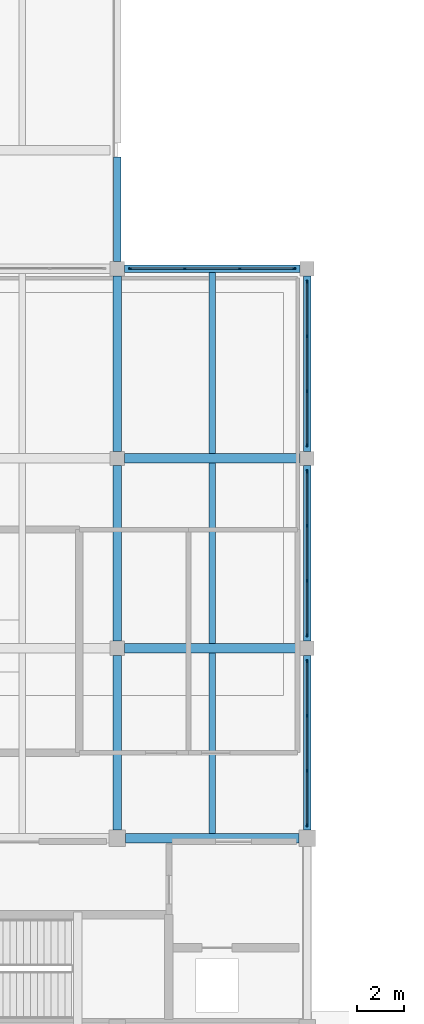
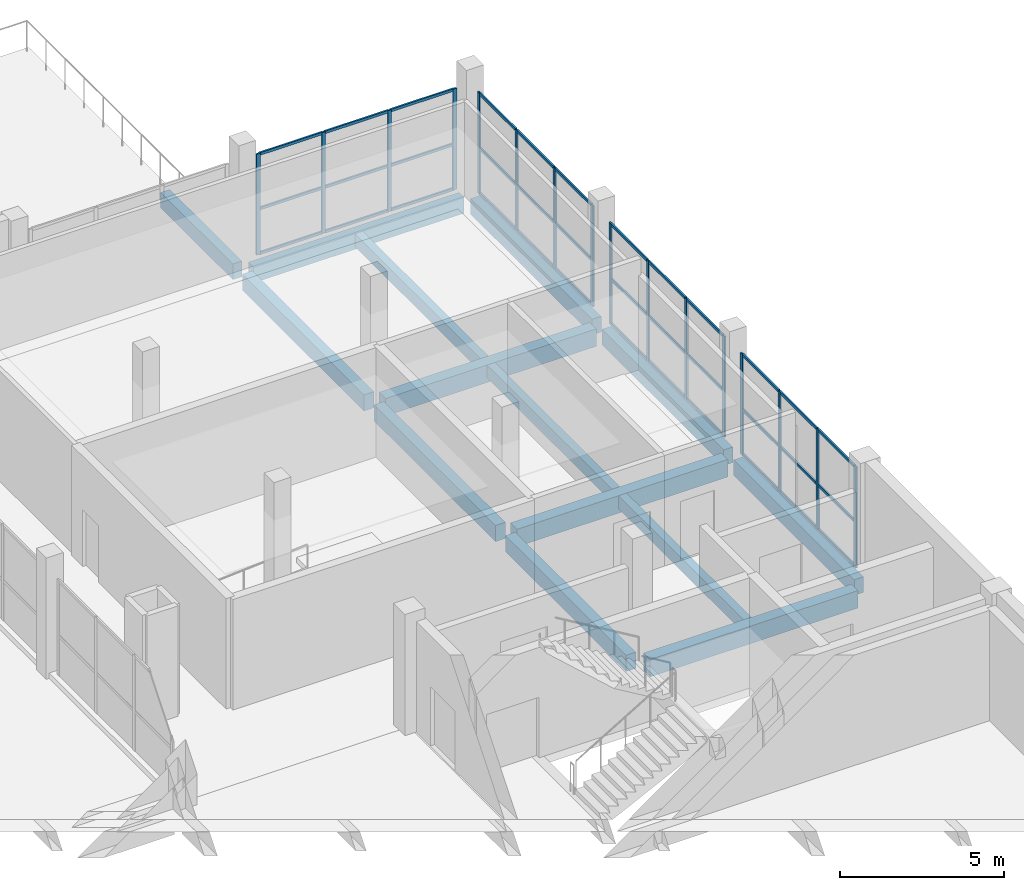
# One storey, part 6 of 14: 52 members, 14 beams, 4 elements without a shape of their own.
"""IFC4 building model written with IfcOpenShell, lengths in metres."""

from ifc_helpers import new_model, si_unit, direction, frame, origin, origin_2d, place, context, subcontext, project, spatial, rectangle, extrude, material, layer, layer_set, material_profile, profile_set, type_object, element, aggregate, save


model = new_model("IFC4")

# Units and contexts
model_context = context("Model", 3, precision=1e-05, world=origin(), true_north=direction((0.0, 1.0)))
body_context = subcontext(model_context, "Body", "Model", "MODEL_VIEW")
ifc_project = project(units=[si_unit("LENGTHUNIT", "METRE"), si_unit("AREAUNIT", "SQUARE_METRE"), si_unit("VOLUMEUNIT", "CUBIC_METRE"), si_unit("PLANEANGLEUNIT", "RADIAN"), si_unit("MASSUNIT", "GRAM", prefix="KILO")], contexts=[model_context])

# Site, building, storey
site_placement = place(None, origin())
site = spatial("IfcSite", under=ifc_project, at=site_placement, CompositionType="ELEMENT")
building_placement = place(site_placement, origin())
building = spatial("IfcBuilding", under=site, at=building_placement, Name="Qorikala Patio Media Centre", CompositionType="ELEMENT")
storey_placement = place(building_placement, frame((0.0, 0.0, 23.39990234375)))
storey = spatial("IfcBuildingStorey", under=building, at=storey_placement, Name="L05", CompositionType="ELEMENT", Elevation=23.39990234375)

# Beams
ifc_material_1 = material(Name="Concrete C35/45", Category="concrete")
ifc_material_profile_1 = material_profile(ifc_material_1, rectangle(XDim=0.35009765625, YDim=0.60009765625, at=origin_2d()), Name="RC 350x600")
ifc_profile_set_1 = profile_set([ifc_material_profile_1], Name="Concrete C35/45")
beam_type_1 = type_object("IfcBeamType", Name="BM-G350X600", PredefinedType="BEAM", material=ifc_profile_set_1)
beam_1_placement = place(storey_placement, frame((35.0, 35.35009765625, -0.599853515625), z_axis=(0.0, 1.0, 0.0), x_axis=(-1.0, 0.0, 0.0)))
element("IfcBeam", 1, at=beam_1_placement, inside=storey, type_object=beam_type_1, Name="L05 Grid X=35 Beam 1593", PredefinedType="BEAM", context=body_context, shape_type="SweptSolid", body=[
    extrude(rectangle(XDim=0.35009765625, YDim=0.60009765625, at=origin_2d()), origin(), (0.0, 0.0, 1.0), 7.349853515625),
])
for number, where, z_axis, x_axis, name in (
    (2, (35.0, 43.300048828125, -0.599853515625), (0.0, 1.0, 0.0), (-1.0, 0.0, 0.0), "L05 Grid X=35 Beam 1594"),
    (3, (35.0, 51.300048828125, -0.599853515625), (0.0, 1.0, 0.0), (-1.0, 0.0, 0.0), "L05 Grid X=35 Beam 1595"),
):
    element("IfcBeam", number, at=place(storey_placement, frame(where, z_axis=z_axis, x_axis=x_axis)), inside=storey, type_object=beam_type_1, Name=name, PredefinedType="BEAM", context=body_context, shape_type="SweptSolid", body=[
        extrude(rectangle(XDim=0.35009765625, YDim=0.60009765625, at=origin_2d()), origin(), (0.0, 0.0, 1.0), 7.39990234375),
    ])
ifc_material_profile_2 = material_profile(ifc_material_1, rectangle(XDim=0.39990234375, YDim=0.64990234375, at=origin_2d()), Name="RC 400x650")
ifc_profile_set_2 = profile_set([ifc_material_profile_2], Name="Concrete C35/45")
beam_type_2 = type_object("IfcBeamType", Name="BM-G400X650", PredefinedType="BEAM", material=ifc_profile_set_2)
beam_2_placement = place(storey_placement, frame((35.35009765625, 35.0, -0.625), z_axis=(1.0, 0.0, 0.0), x_axis=(0.0, 1.0, 0.0)))
element("IfcBeam", 4, at=beam_2_placement, inside=storey, type_object=beam_type_2, Name="L05 Grid 35 Beam 1535", PredefinedType="BEAM", context=body_context, shape_type="SweptSolid", body=[
    extrude(rectangle(XDim=0.39990234375, YDim=0.64990234375, at=origin_2d()), origin(), (0.0, 0.0, 1.0), 7.2998046875),
])
for number, where, z_axis, x_axis, name in (
    (5, (35.300048828125, 43.0, -0.625), (1.0, 0.0, 0.0), (0.0, 1.0, 0.0), "L05 Grid 43 Beam 1540"),
    (6, (35.300048828125, 51.0, -0.625), (1.0, 0.0, 0.0), (0.0, 1.0, 0.0), "L05 Grid 51 Beam 1544"),
):
    element("IfcBeam", number, at=place(storey_placement, frame(where, z_axis=z_axis, x_axis=x_axis)), inside=storey, type_object=beam_type_2, Name=name, PredefinedType="BEAM", context=body_context, shape_type="SweptSolid", body=[
        extrude(rectangle(XDim=0.39990234375, YDim=0.64990234375, at=origin_2d()), origin(), (0.0, 0.0, 1.0), 7.39990234375),
    ])

# Curtain wall, members
ifc_material_2 = material(Name="Bronze Anodised Aluminium and Low-E Glass", Category="aluminium")
ifc_layer = layer(ifc_material_2, 0.159912109375)
ifc_layer_set = layer_set([ifc_layer], Name="Bronze Anodised Aluminium and Low-E Glass")
curtain_wall_type = type_object("IfcCurtainWallType", Name="CW-PAV-696X375", PredefinedType="USERDEFINED", material=ifc_layer_set)
curtain_wall_1_placement = place(storey_placement, origin())
curtain_wall_1 = element("IfcCurtainWall", 7, at=curtain_wall_1_placement, inside=storey, type_object=curtain_wall_type, Name="L05 Courtyard Curtain Wall 096", ObjectType="COURTYARD CURTAIN WALL", PredefinedType="USERDEFINED")
ifc_material_3 = material(Name="Bronze Anodised Aluminium", Category="aluminium")
ifc_material_profile_3 = material_profile(ifc_material_3, rectangle(XDim=0.06005859375, YDim=0.1298828125, at=origin_2d()), Name="ALU MULLION 60x130")
ifc_profile_set_3 = profile_set([ifc_material_profile_3], Name="Bronze Anodised Aluminium")
member_type_1 = type_object("IfcMemberType", Name="CWM-60X130", PredefinedType="MULLION", material=ifc_profile_set_3)
member_1_placement = place(storey_placement, frame((35.550048828125, 59.0, 0.0), z_axis=(0.0, 0.0, 1.0), x_axis=(0.0, 1.0, 0.0)))
member_1 = element("IfcMember", 8, at=member_1_placement, type_object=member_type_1, Name="CWP696375 mullion 1", PredefinedType="MULLION", context=body_context, shape_type="SweptSolid", body=[
    extrude(rectangle(XDim=0.06005859375, YDim=0.1298828125, at=origin_2d()), origin(), (0.0, 0.0, 1.0), 3.75),
])
member_2_placement = place(storey_placement, frame((37.840087890625, 59.0, 0.0), z_axis=(0.0, 0.0, 1.0), x_axis=(0.0, 1.0, 0.0)))
member_2 = element("IfcMember", 9, at=member_2_placement, type_object=member_type_1, Name="CWP696375 mullion 2", PredefinedType="MULLION", context=body_context, shape_type="SweptSolid", body=[
    extrude(rectangle(XDim=0.06005859375, YDim=0.1298828125, at=origin_2d()), origin(), (0.0, 0.0, 1.0), 3.75),
])
member_3_placement = place(storey_placement, frame((40.159912109375, 59.0, 0.0), z_axis=(0.0, 0.0, 1.0), x_axis=(0.0, 1.0, 0.0)))
member_3 = element("IfcMember", 10, at=member_3_placement, type_object=member_type_1, Name="CWP696375 mullion 3", PredefinedType="MULLION", context=body_context, shape_type="SweptSolid", body=[
    extrude(rectangle(XDim=0.06005859375, YDim=0.1298828125, at=origin_2d()), origin(), (0.0, 0.0, 1.0), 3.75),
])
member_4_placement = place(storey_placement, frame((42.449951171875, 59.0, 0.0), z_axis=(0.0, 0.0, 1.0), x_axis=(0.0, 1.0, 0.0)))
member_4 = element("IfcMember", 11, at=member_4_placement, type_object=member_type_1, Name="CWP696375 mullion 4", PredefinedType="MULLION", context=body_context, shape_type="SweptSolid", body=[
    extrude(rectangle(XDim=0.06005859375, YDim=0.1298828125, at=origin_2d()), origin(), (0.0, 0.0, 1.0), 3.75),
])

curtain_wall_2_placement = place(storey_placement, origin())
curtain_wall_2 = element("IfcCurtainWall", 12, at=curtain_wall_2_placement, inside=storey, type_object=curtain_wall_type, Name="L05 Courtyard Curtain Wall 097", ObjectType="COURTYARD CURTAIN WALL", PredefinedType="USERDEFINED")
member_5_placement = place(storey_placement, frame((43.0, 58.449951171875, 0.0), z_axis=(0.0, 0.0, 1.0), x_axis=(1.0, 0.0, 0.0)))
member_5 = element("IfcMember", 13, at=member_5_placement, type_object=member_type_1, Name="CWP696375 mullion 1", PredefinedType="MULLION", context=body_context, shape_type="SweptSolid", body=[
    extrude(rectangle(XDim=0.06005859375, YDim=0.1298828125, at=origin_2d()), origin(), (0.0, 0.0, 1.0), 3.75),
])
member_6_placement = place(storey_placement, frame((43.0, 56.159912109375, 0.0), z_axis=(0.0, 0.0, 1.0), x_axis=(1.0, 0.0, 0.0)))
member_6 = element("IfcMember", 14, at=member_6_placement, type_object=member_type_1, Name="CWP696375 mullion 2", PredefinedType="MULLION", context=body_context, shape_type="SweptSolid", body=[
    extrude(rectangle(XDim=0.06005859375, YDim=0.1298828125, at=origin_2d()), origin(), (0.0, 0.0, 1.0), 3.75),
])
member_7_placement = place(storey_placement, frame((43.0, 53.840087890625, 0.0), z_axis=(0.0, 0.0, 1.0), x_axis=(1.0, 0.0, 0.0)))
member_7 = element("IfcMember", 15, at=member_7_placement, type_object=member_type_1, Name="CWP696375 mullion 3", PredefinedType="MULLION", context=body_context, shape_type="SweptSolid", body=[
    extrude(rectangle(XDim=0.06005859375, YDim=0.1298828125, at=origin_2d()), origin(), (0.0, 0.0, 1.0), 3.75),
])
member_8_placement = place(storey_placement, frame((43.0, 51.550048828125, 0.0), z_axis=(0.0, 0.0, 1.0), x_axis=(1.0, 0.0, 0.0)))
member_8 = element("IfcMember", 16, at=member_8_placement, type_object=member_type_1, Name="CWP696375 mullion 4", PredefinedType="MULLION", context=body_context, shape_type="SweptSolid", body=[
    extrude(rectangle(XDim=0.06005859375, YDim=0.1298828125, at=origin_2d()), origin(), (0.0, 0.0, 1.0), 3.75),
])

curtain_wall_3_placement = place(storey_placement, origin())
curtain_wall_3 = element("IfcCurtainWall", 17, at=curtain_wall_3_placement, inside=storey, type_object=curtain_wall_type, Name="L05 Courtyard Curtain Wall 098", ObjectType="COURTYARD CURTAIN WALL", PredefinedType="USERDEFINED")
member_9_placement = place(storey_placement, frame((43.0, 50.449951171875, 0.0), z_axis=(0.0, 0.0, 1.0), x_axis=(1.0, 0.0, 0.0)))
member_9 = element("IfcMember", 18, at=member_9_placement, type_object=member_type_1, Name="CWP696375 mullion 1", PredefinedType="MULLION", context=body_context, shape_type="SweptSolid", body=[
    extrude(rectangle(XDim=0.06005859375, YDim=0.1298828125, at=origin_2d()), origin(), (0.0, 0.0, 1.0), 3.75),
])
member_10_placement = place(storey_placement, frame((43.0, 48.159912109375, 0.0), z_axis=(0.0, 0.0, 1.0), x_axis=(1.0, 0.0, 0.0)))
member_10 = element("IfcMember", 19, at=member_10_placement, type_object=member_type_1, Name="CWP696375 mullion 2", PredefinedType="MULLION", context=body_context, shape_type="SweptSolid", body=[
    extrude(rectangle(XDim=0.06005859375, YDim=0.1298828125, at=origin_2d()), origin(), (0.0, 0.0, 1.0), 3.75),
])
member_11_placement = place(storey_placement, frame((43.0, 45.840087890625, 0.0), z_axis=(0.0, 0.0, 1.0), x_axis=(1.0, 0.0, 0.0)))
member_11 = element("IfcMember", 20, at=member_11_placement, type_object=member_type_1, Name="CWP696375 mullion 3", PredefinedType="MULLION", context=body_context, shape_type="SweptSolid", body=[
    extrude(rectangle(XDim=0.06005859375, YDim=0.1298828125, at=origin_2d()), origin(), (0.0, 0.0, 1.0), 3.75),
])
member_12_placement = place(storey_placement, frame((43.0, 43.550048828125, 0.0), z_axis=(0.0, 0.0, 1.0), x_axis=(1.0, 0.0, 0.0)))
member_12 = element("IfcMember", 21, at=member_12_placement, type_object=member_type_1, Name="CWP696375 mullion 4", PredefinedType="MULLION", context=body_context, shape_type="SweptSolid", body=[
    extrude(rectangle(XDim=0.06005859375, YDim=0.1298828125, at=origin_2d()), origin(), (0.0, 0.0, 1.0), 3.75),
])

curtain_wall_4_placement = place(storey_placement, origin())
curtain_wall_4 = element("IfcCurtainWall", 22, at=curtain_wall_4_placement, inside=storey, type_object=curtain_wall_type, Name="L05 Courtyard Curtain Wall 099", ObjectType="COURTYARD CURTAIN WALL", PredefinedType="USERDEFINED")
member_13_placement = place(storey_placement, frame((43.0, 42.449951171875, 0.0), z_axis=(0.0, 0.0, 1.0), x_axis=(1.0, 0.0, 0.0)))
member_13 = element("IfcMember", 23, at=member_13_placement, type_object=member_type_1, Name="CWP696375 mullion 1", PredefinedType="MULLION", context=body_context, shape_type="SweptSolid", body=[
    extrude(rectangle(XDim=0.06005859375, YDim=0.1298828125, at=origin_2d()), origin(), (0.0, 0.0, 1.0), 3.75),
])
member_14_placement = place(storey_placement, frame((43.0, 40.159912109375, 0.0), z_axis=(0.0, 0.0, 1.0), x_axis=(1.0, 0.0, 0.0)))
member_14 = element("IfcMember", 24, at=member_14_placement, type_object=member_type_1, Name="CWP696375 mullion 2", PredefinedType="MULLION", context=body_context, shape_type="SweptSolid", body=[
    extrude(rectangle(XDim=0.06005859375, YDim=0.1298828125, at=origin_2d()), origin(), (0.0, 0.0, 1.0), 3.75),
])
member_15_placement = place(storey_placement, frame((43.0, 37.840087890625, 0.0), z_axis=(0.0, 0.0, 1.0), x_axis=(1.0, 0.0, 0.0)))
member_15 = element("IfcMember", 25, at=member_15_placement, type_object=member_type_1, Name="CWP696375 mullion 3", PredefinedType="MULLION", context=body_context, shape_type="SweptSolid", body=[
    extrude(rectangle(XDim=0.06005859375, YDim=0.1298828125, at=origin_2d()), origin(), (0.0, 0.0, 1.0), 3.75),
])
member_16_placement = place(storey_placement, frame((43.0, 35.550048828125, 0.0), z_axis=(0.0, 0.0, 1.0), x_axis=(1.0, 0.0, 0.0)))
member_16 = element("IfcMember", 26, at=member_16_placement, type_object=member_type_1, Name="CWP696375 mullion 4", PredefinedType="MULLION", context=body_context, shape_type="SweptSolid", body=[
    extrude(rectangle(XDim=0.06005859375, YDim=0.1298828125, at=origin_2d()), origin(), (0.0, 0.0, 1.0), 3.75),
])

# Member
ifc_material_profile_4 = material_profile(ifc_material_3, rectangle(XDim=0.06005859375, YDim=0.10009765625, at=origin_2d()), Name="ALU TRANSOM 60x100")
ifc_profile_set_4 = profile_set([ifc_material_profile_4], Name="Bronze Anodised Aluminium")
member_type_2 = type_object("IfcMemberType", Name="CWT-60X100", PredefinedType="USERDEFINED", material=ifc_profile_set_4)
member_17_placement = place(storey_placement, frame((35.580078125, 59.0, 0.030029296875), z_axis=(1.0, 0.0, 0.0), x_axis=(0.0, 1.0, 0.0)))
member_17 = element("IfcMember", 27, at=member_17_placement, type_object=member_type_2, Name="CWP696375 transom 1.1", ObjectType="TRANSOM", PredefinedType="USERDEFINED", context=body_context, shape_type="SweptSolid", body=[
    extrude(rectangle(XDim=0.06005859375, YDim=0.10009765625, at=origin_2d()), origin(), (0.0, 0.0, 1.0), 2.22998046875),
])

member_18_placement = place(storey_placement, frame((35.580078125, 59.0, 1.6875), z_axis=(1.0, 0.0, 0.0), x_axis=(0.0, 1.0, 0.0)))
member_18 = element("IfcMember", 28, at=member_18_placement, type_object=member_type_2, Name="CWP696375 transom 1.2", ObjectType="TRANSOM", PredefinedType="USERDEFINED", context=body_context, shape_type="SweptSolid", body=[
    extrude(rectangle(XDim=0.06005859375, YDim=0.10009765625, at=origin_2d()), origin(), (0.0, 0.0, 1.0), 2.22998046875),
])

member_19_placement = place(storey_placement, frame((35.580078125, 59.0, 3.72021484375), z_axis=(1.0, 0.0, 0.0), x_axis=(0.0, 1.0, 0.0)))
member_19 = element("IfcMember", 29, at=member_19_placement, type_object=member_type_2, Name="CWP696375 transom 1.3", ObjectType="TRANSOM", PredefinedType="USERDEFINED", context=body_context, shape_type="SweptSolid", body=[
    extrude(rectangle(XDim=0.06005859375, YDim=0.10009765625, at=origin_2d()), origin(), (0.0, 0.0, 1.0), 2.22998046875),
])

member_20_placement = place(storey_placement, frame((37.8701171875, 59.0, 0.030029296875), z_axis=(1.0, 0.0, 0.0), x_axis=(0.0, 1.0, 0.0)))
member_20 = element("IfcMember", 30, at=member_20_placement, type_object=member_type_2, Name="CWP696375 transom 2.1", ObjectType="TRANSOM", PredefinedType="USERDEFINED", context=body_context, shape_type="SweptSolid", body=[
    extrude(rectangle(XDim=0.06005859375, YDim=0.10009765625, at=origin_2d()), origin(), (0.0, 0.0, 1.0), 2.259765625),
])

member_21_placement = place(storey_placement, frame((37.8701171875, 59.0, 1.6875), z_axis=(1.0, 0.0, 0.0), x_axis=(0.0, 1.0, 0.0)))
member_21 = element("IfcMember", 31, at=member_21_placement, type_object=member_type_2, Name="CWP696375 transom 2.2", ObjectType="TRANSOM", PredefinedType="USERDEFINED", context=body_context, shape_type="SweptSolid", body=[
    extrude(rectangle(XDim=0.06005859375, YDim=0.10009765625, at=origin_2d()), origin(), (0.0, 0.0, 1.0), 2.259765625),
])

member_22_placement = place(storey_placement, frame((37.8701171875, 59.0, 3.72021484375), z_axis=(1.0, 0.0, 0.0), x_axis=(0.0, 1.0, 0.0)))
member_22 = element("IfcMember", 32, at=member_22_placement, type_object=member_type_2, Name="CWP696375 transom 2.3", ObjectType="TRANSOM", PredefinedType="USERDEFINED", context=body_context, shape_type="SweptSolid", body=[
    extrude(rectangle(XDim=0.06005859375, YDim=0.10009765625, at=origin_2d()), origin(), (0.0, 0.0, 1.0), 2.259765625),
])

member_23_placement = place(storey_placement, frame((40.18994140625, 59.0, 0.030029296875), z_axis=(1.0, 0.0, 0.0), x_axis=(0.0, 1.0, 0.0)))
member_23 = element("IfcMember", 33, at=member_23_placement, type_object=member_type_2, Name="CWP696375 transom 3.1", ObjectType="TRANSOM", PredefinedType="USERDEFINED", context=body_context, shape_type="SweptSolid", body=[
    extrude(rectangle(XDim=0.06005859375, YDim=0.10009765625, at=origin_2d()), origin(), (0.0, 0.0, 1.0), 2.22998046875),
])

member_24_placement = place(storey_placement, frame((40.18994140625, 59.0, 1.6875), z_axis=(1.0, 0.0, 0.0), x_axis=(0.0, 1.0, 0.0)))
member_24 = element("IfcMember", 34, at=member_24_placement, type_object=member_type_2, Name="CWP696375 transom 3.2", ObjectType="TRANSOM", PredefinedType="USERDEFINED", context=body_context, shape_type="SweptSolid", body=[
    extrude(rectangle(XDim=0.06005859375, YDim=0.10009765625, at=origin_2d()), origin(), (0.0, 0.0, 1.0), 2.22998046875),
])

member_25_placement = place(storey_placement, frame((40.18994140625, 59.0, 3.72021484375), z_axis=(1.0, 0.0, 0.0), x_axis=(0.0, 1.0, 0.0)))
member_25 = element("IfcMember", 35, at=member_25_placement, type_object=member_type_2, Name="CWP696375 transom 3.3", ObjectType="TRANSOM", PredefinedType="USERDEFINED", context=body_context, shape_type="SweptSolid", body=[
    extrude(rectangle(XDim=0.06005859375, YDim=0.10009765625, at=origin_2d()), origin(), (0.0, 0.0, 1.0), 2.22998046875),
])

aggregate(curtain_wall_1, [member_1, member_2, member_3, member_4, member_17, member_18, member_19, member_20, member_21, member_22, member_23, member_24, member_25])

member_26_placement = place(storey_placement, frame((43.0, 58.419921875, 0.030029296875), z_axis=(0.0, -1.0, 0.0), x_axis=(1.0, 0.0, 0.0)))
member_26 = element("IfcMember", 36, at=member_26_placement, type_object=member_type_2, Name="CWP696375 transom 1.1", ObjectType="TRANSOM", PredefinedType="USERDEFINED", context=body_context, shape_type="SweptSolid", body=[
    extrude(rectangle(XDim=0.06005859375, YDim=0.10009765625, at=origin_2d()), origin(), (0.0, 0.0, 1.0), 2.22998046875),
])

member_27_placement = place(storey_placement, frame((43.0, 58.419921875, 1.6875), z_axis=(0.0, -1.0, 0.0), x_axis=(1.0, 0.0, 0.0)))
member_27 = element("IfcMember", 37, at=member_27_placement, type_object=member_type_2, Name="CWP696375 transom 1.2", ObjectType="TRANSOM", PredefinedType="USERDEFINED", context=body_context, shape_type="SweptSolid", body=[
    extrude(rectangle(XDim=0.06005859375, YDim=0.10009765625, at=origin_2d()), origin(), (0.0, 0.0, 1.0), 2.22998046875),
])

member_28_placement = place(storey_placement, frame((43.0, 58.419921875, 3.72021484375), z_axis=(0.0, -1.0, 0.0), x_axis=(1.0, 0.0, 0.0)))
member_28 = element("IfcMember", 38, at=member_28_placement, type_object=member_type_2, Name="CWP696375 transom 1.3", ObjectType="TRANSOM", PredefinedType="USERDEFINED", context=body_context, shape_type="SweptSolid", body=[
    extrude(rectangle(XDim=0.06005859375, YDim=0.10009765625, at=origin_2d()), origin(), (0.0, 0.0, 1.0), 2.22998046875),
])

member_29_placement = place(storey_placement, frame((43.0, 56.1298828125, 0.030029296875), z_axis=(0.0, -1.0, 0.0), x_axis=(1.0, 0.0, 0.0)))
member_29 = element("IfcMember", 39, at=member_29_placement, type_object=member_type_2, Name="CWP696375 transom 2.1", ObjectType="TRANSOM", PredefinedType="USERDEFINED", context=body_context, shape_type="SweptSolid", body=[
    extrude(rectangle(XDim=0.06005859375, YDim=0.10009765625, at=origin_2d()), origin(), (0.0, 0.0, 1.0), 2.259765625),
])

member_30_placement = place(storey_placement, frame((43.0, 56.1298828125, 1.6875), z_axis=(0.0, -1.0, 0.0), x_axis=(1.0, 0.0, 0.0)))
member_30 = element("IfcMember", 40, at=member_30_placement, type_object=member_type_2, Name="CWP696375 transom 2.2", ObjectType="TRANSOM", PredefinedType="USERDEFINED", context=body_context, shape_type="SweptSolid", body=[
    extrude(rectangle(XDim=0.06005859375, YDim=0.10009765625, at=origin_2d()), origin(), (0.0, 0.0, 1.0), 2.259765625),
])

member_31_placement = place(storey_placement, frame((43.0, 56.1298828125, 3.72021484375), z_axis=(0.0, -1.0, 0.0), x_axis=(1.0, 0.0, 0.0)))
member_31 = element("IfcMember", 41, at=member_31_placement, type_object=member_type_2, Name="CWP696375 transom 2.3", ObjectType="TRANSOM", PredefinedType="USERDEFINED", context=body_context, shape_type="SweptSolid", body=[
    extrude(rectangle(XDim=0.06005859375, YDim=0.10009765625, at=origin_2d()), origin(), (0.0, 0.0, 1.0), 2.259765625),
])

member_32_placement = place(storey_placement, frame((43.0, 53.81005859375, 0.030029296875), z_axis=(0.0, -1.0, 0.0), x_axis=(1.0, 0.0, 0.0)))
member_32 = element("IfcMember", 42, at=member_32_placement, type_object=member_type_2, Name="CWP696375 transom 3.1", ObjectType="TRANSOM", PredefinedType="USERDEFINED", context=body_context, shape_type="SweptSolid", body=[
    extrude(rectangle(XDim=0.06005859375, YDim=0.10009765625, at=origin_2d()), origin(), (0.0, 0.0, 1.0), 2.22998046875),
])

member_33_placement = place(storey_placement, frame((43.0, 53.81005859375, 1.6875), z_axis=(0.0, -1.0, 0.0), x_axis=(1.0, 0.0, 0.0)))
member_33 = element("IfcMember", 43, at=member_33_placement, type_object=member_type_2, Name="CWP696375 transom 3.2", ObjectType="TRANSOM", PredefinedType="USERDEFINED", context=body_context, shape_type="SweptSolid", body=[
    extrude(rectangle(XDim=0.06005859375, YDim=0.10009765625, at=origin_2d()), origin(), (0.0, 0.0, 1.0), 2.22998046875),
])

member_34_placement = place(storey_placement, frame((43.0, 53.81005859375, 3.72021484375), z_axis=(0.0, -1.0, 0.0), x_axis=(1.0, 0.0, 0.0)))
member_34 = element("IfcMember", 44, at=member_34_placement, type_object=member_type_2, Name="CWP696375 transom 3.3", ObjectType="TRANSOM", PredefinedType="USERDEFINED", context=body_context, shape_type="SweptSolid", body=[
    extrude(rectangle(XDim=0.06005859375, YDim=0.10009765625, at=origin_2d()), origin(), (0.0, 0.0, 1.0), 2.22998046875),
])

aggregate(curtain_wall_2, [member_5, member_6, member_7, member_8, member_26, member_27, member_28, member_29, member_30, member_31, member_32, member_33, member_34])

member_35_placement = place(storey_placement, frame((43.0, 50.419921875, 0.030029296875), z_axis=(0.0, -1.0, 0.0), x_axis=(1.0, 0.0, 0.0)))
member_35 = element("IfcMember", 45, at=member_35_placement, type_object=member_type_2, Name="CWP696375 transom 1.1", ObjectType="TRANSOM", PredefinedType="USERDEFINED", context=body_context, shape_type="SweptSolid", body=[
    extrude(rectangle(XDim=0.06005859375, YDim=0.10009765625, at=origin_2d()), origin(), (0.0, 0.0, 1.0), 2.22998046875),
])

member_36_placement = place(storey_placement, frame((43.0, 50.419921875, 1.6875), z_axis=(0.0, -1.0, 0.0), x_axis=(1.0, 0.0, 0.0)))
member_36 = element("IfcMember", 46, at=member_36_placement, type_object=member_type_2, Name="CWP696375 transom 1.2", ObjectType="TRANSOM", PredefinedType="USERDEFINED", context=body_context, shape_type="SweptSolid", body=[
    extrude(rectangle(XDim=0.06005859375, YDim=0.10009765625, at=origin_2d()), origin(), (0.0, 0.0, 1.0), 2.22998046875),
])

member_37_placement = place(storey_placement, frame((43.0, 50.419921875, 3.72021484375), z_axis=(0.0, -1.0, 0.0), x_axis=(1.0, 0.0, 0.0)))
member_37 = element("IfcMember", 47, at=member_37_placement, type_object=member_type_2, Name="CWP696375 transom 1.3", ObjectType="TRANSOM", PredefinedType="USERDEFINED", context=body_context, shape_type="SweptSolid", body=[
    extrude(rectangle(XDim=0.06005859375, YDim=0.10009765625, at=origin_2d()), origin(), (0.0, 0.0, 1.0), 2.22998046875),
])

member_38_placement = place(storey_placement, frame((43.0, 48.1298828125, 0.030029296875), z_axis=(0.0, -1.0, 0.0), x_axis=(1.0, 0.0, 0.0)))
member_38 = element("IfcMember", 48, at=member_38_placement, type_object=member_type_2, Name="CWP696375 transom 2.1", ObjectType="TRANSOM", PredefinedType="USERDEFINED", context=body_context, shape_type="SweptSolid", body=[
    extrude(rectangle(XDim=0.06005859375, YDim=0.10009765625, at=origin_2d()), origin(), (0.0, 0.0, 1.0), 2.259765625),
])

member_39_placement = place(storey_placement, frame((43.0, 48.1298828125, 1.6875), z_axis=(0.0, -1.0, 0.0), x_axis=(1.0, 0.0, 0.0)))
member_39 = element("IfcMember", 49, at=member_39_placement, type_object=member_type_2, Name="CWP696375 transom 2.2", ObjectType="TRANSOM", PredefinedType="USERDEFINED", context=body_context, shape_type="SweptSolid", body=[
    extrude(rectangle(XDim=0.06005859375, YDim=0.10009765625, at=origin_2d()), origin(), (0.0, 0.0, 1.0), 2.259765625),
])

member_40_placement = place(storey_placement, frame((43.0, 48.1298828125, 3.72021484375), z_axis=(0.0, -1.0, 0.0), x_axis=(1.0, 0.0, 0.0)))
member_40 = element("IfcMember", 50, at=member_40_placement, type_object=member_type_2, Name="CWP696375 transom 2.3", ObjectType="TRANSOM", PredefinedType="USERDEFINED", context=body_context, shape_type="SweptSolid", body=[
    extrude(rectangle(XDim=0.06005859375, YDim=0.10009765625, at=origin_2d()), origin(), (0.0, 0.0, 1.0), 2.259765625),
])

member_41_placement = place(storey_placement, frame((43.0, 45.81005859375, 0.030029296875), z_axis=(0.0, -1.0, 0.0), x_axis=(1.0, 0.0, 0.0)))
member_41 = element("IfcMember", 51, at=member_41_placement, type_object=member_type_2, Name="CWP696375 transom 3.1", ObjectType="TRANSOM", PredefinedType="USERDEFINED", context=body_context, shape_type="SweptSolid", body=[
    extrude(rectangle(XDim=0.06005859375, YDim=0.10009765625, at=origin_2d()), origin(), (0.0, 0.0, 1.0), 2.22998046875),
])

member_42_placement = place(storey_placement, frame((43.0, 45.81005859375, 1.6875), z_axis=(0.0, -1.0, 0.0), x_axis=(1.0, 0.0, 0.0)))
member_42 = element("IfcMember", 52, at=member_42_placement, type_object=member_type_2, Name="CWP696375 transom 3.2", ObjectType="TRANSOM", PredefinedType="USERDEFINED", context=body_context, shape_type="SweptSolid", body=[
    extrude(rectangle(XDim=0.06005859375, YDim=0.10009765625, at=origin_2d()), origin(), (0.0, 0.0, 1.0), 2.22998046875),
])

member_43_placement = place(storey_placement, frame((43.0, 45.81005859375, 3.72021484375), z_axis=(0.0, -1.0, 0.0), x_axis=(1.0, 0.0, 0.0)))
member_43 = element("IfcMember", 53, at=member_43_placement, type_object=member_type_2, Name="CWP696375 transom 3.3", ObjectType="TRANSOM", PredefinedType="USERDEFINED", context=body_context, shape_type="SweptSolid", body=[
    extrude(rectangle(XDim=0.06005859375, YDim=0.10009765625, at=origin_2d()), origin(), (0.0, 0.0, 1.0), 2.22998046875),
])

aggregate(curtain_wall_3, [member_9, member_10, member_11, member_12, member_35, member_36, member_37, member_38, member_39, member_40, member_41, member_42, member_43])

member_44_placement = place(storey_placement, frame((43.0, 42.419921875, 0.030029296875), z_axis=(0.0, -1.0, 0.0), x_axis=(1.0, 0.0, 0.0)))
member_44 = element("IfcMember", 54, at=member_44_placement, type_object=member_type_2, Name="CWP696375 transom 1.1", ObjectType="TRANSOM", PredefinedType="USERDEFINED", context=body_context, shape_type="SweptSolid", body=[
    extrude(rectangle(XDim=0.06005859375, YDim=0.10009765625, at=origin_2d()), origin(), (0.0, 0.0, 1.0), 2.22998046875),
])

member_45_placement = place(storey_placement, frame((43.0, 42.419921875, 1.6875), z_axis=(0.0, -1.0, 0.0), x_axis=(1.0, 0.0, 0.0)))
member_45 = element("IfcMember", 55, at=member_45_placement, type_object=member_type_2, Name="CWP696375 transom 1.2", ObjectType="TRANSOM", PredefinedType="USERDEFINED", context=body_context, shape_type="SweptSolid", body=[
    extrude(rectangle(XDim=0.06005859375, YDim=0.10009765625, at=origin_2d()), origin(), (0.0, 0.0, 1.0), 2.22998046875),
])

member_46_placement = place(storey_placement, frame((43.0, 42.419921875, 3.72021484375), z_axis=(0.0, -1.0, 0.0), x_axis=(1.0, 0.0, 0.0)))
member_46 = element("IfcMember", 56, at=member_46_placement, type_object=member_type_2, Name="CWP696375 transom 1.3", ObjectType="TRANSOM", PredefinedType="USERDEFINED", context=body_context, shape_type="SweptSolid", body=[
    extrude(rectangle(XDim=0.06005859375, YDim=0.10009765625, at=origin_2d()), origin(), (0.0, 0.0, 1.0), 2.22998046875),
])

member_47_placement = place(storey_placement, frame((43.0, 40.1298828125, 0.030029296875), z_axis=(0.0, -1.0, 0.0), x_axis=(1.0, 0.0, 0.0)))
member_47 = element("IfcMember", 57, at=member_47_placement, type_object=member_type_2, Name="CWP696375 transom 2.1", ObjectType="TRANSOM", PredefinedType="USERDEFINED", context=body_context, shape_type="SweptSolid", body=[
    extrude(rectangle(XDim=0.06005859375, YDim=0.10009765625, at=origin_2d()), origin(), (0.0, 0.0, 1.0), 2.259765625),
])

member_48_placement = place(storey_placement, frame((43.0, 40.1298828125, 1.6875), z_axis=(0.0, -1.0, 0.0), x_axis=(1.0, 0.0, 0.0)))
member_48 = element("IfcMember", 58, at=member_48_placement, type_object=member_type_2, Name="CWP696375 transom 2.2", ObjectType="TRANSOM", PredefinedType="USERDEFINED", context=body_context, shape_type="SweptSolid", body=[
    extrude(rectangle(XDim=0.06005859375, YDim=0.10009765625, at=origin_2d()), origin(), (0.0, 0.0, 1.0), 2.259765625),
])

member_49_placement = place(storey_placement, frame((43.0, 40.1298828125, 3.72021484375), z_axis=(0.0, -1.0, 0.0), x_axis=(1.0, 0.0, 0.0)))
member_49 = element("IfcMember", 59, at=member_49_placement, type_object=member_type_2, Name="CWP696375 transom 2.3", ObjectType="TRANSOM", PredefinedType="USERDEFINED", context=body_context, shape_type="SweptSolid", body=[
    extrude(rectangle(XDim=0.06005859375, YDim=0.10009765625, at=origin_2d()), origin(), (0.0, 0.0, 1.0), 2.259765625),
])

member_50_placement = place(storey_placement, frame((43.0, 37.81005859375, 0.030029296875), z_axis=(0.0, -1.0, 0.0), x_axis=(1.0, 0.0, 0.0)))
member_50 = element("IfcMember", 60, at=member_50_placement, type_object=member_type_2, Name="CWP696375 transom 3.1", ObjectType="TRANSOM", PredefinedType="USERDEFINED", context=body_context, shape_type="SweptSolid", body=[
    extrude(rectangle(XDim=0.06005859375, YDim=0.10009765625, at=origin_2d()), origin(), (0.0, 0.0, 1.0), 2.22998046875),
])

member_51_placement = place(storey_placement, frame((43.0, 37.81005859375, 1.6875), z_axis=(0.0, -1.0, 0.0), x_axis=(1.0, 0.0, 0.0)))
member_51 = element("IfcMember", 61, at=member_51_placement, type_object=member_type_2, Name="CWP696375 transom 3.2", ObjectType="TRANSOM", PredefinedType="USERDEFINED", context=body_context, shape_type="SweptSolid", body=[
    extrude(rectangle(XDim=0.06005859375, YDim=0.10009765625, at=origin_2d()), origin(), (0.0, 0.0, 1.0), 2.22998046875),
])

member_52_placement = place(storey_placement, frame((43.0, 37.81005859375, 3.72021484375), z_axis=(0.0, -1.0, 0.0), x_axis=(1.0, 0.0, 0.0)))
member_52 = element("IfcMember", 62, at=member_52_placement, type_object=member_type_2, Name="CWP696375 transom 3.3", ObjectType="TRANSOM", PredefinedType="USERDEFINED", context=body_context, shape_type="SweptSolid", body=[
    extrude(rectangle(XDim=0.06005859375, YDim=0.10009765625, at=origin_2d()), origin(), (0.0, 0.0, 1.0), 2.22998046875),
])

aggregate(curtain_wall_4, [member_13, member_14, member_15, member_16, member_44, member_45, member_46, member_47, member_48, member_49, member_50, member_51, member_52])

# Beams
ifc_material_profile_5 = material_profile(ifc_material_1, rectangle(XDim=0.280029296875, YDim=0.47998046875, at=origin_2d()), Name="RC 280x480")
ifc_profile_set_5 = profile_set([ifc_material_profile_5], Name="Concrete C35/45")
beam_type_3 = type_object("IfcBeamType", Name="JS-280X480", PredefinedType="JOIST", material=ifc_profile_set_5)
for number, where, z_axis, x_axis, name in (
    (63, (39.0, 35.199951171875, -0.539794921875), (0.0, 1.0, 0.0), (-1.0, 0.0, 0.0), "L05 Secondary Joist 1653"),
    (64, (39.0, 43.199951171875, -0.539794921875), (0.0, 1.0, 0.0), (-1.0, 0.0, 0.0), "L05 Secondary Joist 1654"),
):
    element("IfcBeam", number, at=place(storey_placement, frame(where, z_axis=z_axis, x_axis=x_axis)), inside=storey, type_object=beam_type_3, Name=name, PredefinedType="JOIST", context=body_context, shape_type="SweptSolid", body=[
        extrude(rectangle(XDim=0.280029296875, YDim=0.47998046875, at=origin_2d()), origin(), (0.0, 0.0, 1.0), 7.60009765625),
    ])
beam_3_placement = place(storey_placement, frame((39.0, 51.199951171875, -0.539794921875), z_axis=(0.0, 1.0, 0.0), x_axis=(-1.0, 0.0, 0.0)))
element("IfcBeam", 65, at=beam_3_placement, inside=storey, type_object=beam_type_3, Name="L05 Secondary Joist 1655", PredefinedType="JOIST", context=body_context, shape_type="SweptSolid", body=[
    extrude(rectangle(XDim=0.280029296875, YDim=0.47998046875, at=origin_2d()), origin(), (0.0, 0.0, 1.0), 7.64013671875),
])
ifc_material_profile_6 = material_profile(ifc_material_1, rectangle(XDim=0.320068359375, YDim=0.580078125, at=origin_2d()), Name="RC 320x580")
ifc_profile_set_6 = profile_set([ifc_material_profile_6], Name="Concrete C35/45")
beam_type_4 = type_object("IfcBeamType", Name="SP-320X580", PredefinedType="SPANDREL", material=ifc_profile_set_6)
beam_4_placement = place(storey_placement, frame((35.300048828125, 59.0, -0.58984375), z_axis=(1.0, 0.0, 0.0), x_axis=(0.0, 1.0, 0.0)))
element("IfcBeam", 66, at=beam_4_placement, inside=storey, type_object=beam_type_4, Name="L05 Grid 59 Beam 1549", PredefinedType="SPANDREL", context=body_context, shape_type="SweptSolid", body=[
    extrude(rectangle(XDim=0.320068359375, YDim=0.580078125, at=origin_2d()), origin(), (0.0, 0.0, 1.0), 7.39990234375),
])
beam_5_placement = place(storey_placement, frame((35.0, 59.300048828125, -0.58984375), z_axis=(0.0, 1.0, 0.0), x_axis=(-1.0, 0.0, 0.0)))
element("IfcBeam", 67, at=beam_5_placement, inside=storey, type_object=beam_type_4, Name="L05 Grid X=35 Beam 1596", PredefinedType="SPANDREL", context=body_context, shape_type="SweptSolid", body=[
    extrude(rectangle(XDim=0.320068359375, YDim=0.580078125, at=origin_2d()), origin(), (0.0, 0.0, 1.0), 4.39990234375),
])
beam_6_placement = place(storey_placement, frame((43.0, 35.35009765625, -0.58984375), z_axis=(0.0, 1.0, 0.0), x_axis=(-1.0, 0.0, 0.0)))
element("IfcBeam", 68, at=beam_6_placement, inside=storey, type_object=beam_type_4, Name="L05 Grid X=43 Beam 1602", PredefinedType="SPANDREL", context=body_context, shape_type="SweptSolid", body=[
    extrude(rectangle(XDim=0.320068359375, YDim=0.580078125, at=origin_2d()), origin(), (0.0, 0.0, 1.0), 7.349853515625),
])
for number, where, z_axis, x_axis, name in (
    (69, (43.0, 43.300048828125, -0.58984375), (0.0, 1.0, 0.0), (-1.0, 0.0, 0.0), "L05 Grid X=43 Beam 1603"),
    (70, (43.0, 51.300048828125, -0.58984375), (0.0, 1.0, 0.0), (-1.0, 0.0, 0.0), "L05 Grid X=43 Beam 1604"),
):
    element("IfcBeam", number, at=place(storey_placement, frame(where, z_axis=z_axis, x_axis=x_axis)), inside=storey, type_object=beam_type_4, Name=name, PredefinedType="SPANDREL", context=body_context, shape_type="SweptSolid", body=[
        extrude(rectangle(XDim=0.320068359375, YDim=0.580078125, at=origin_2d()), origin(), (0.0, 0.0, 1.0), 7.39990234375),
    ])

save(model, "model.ifc")
